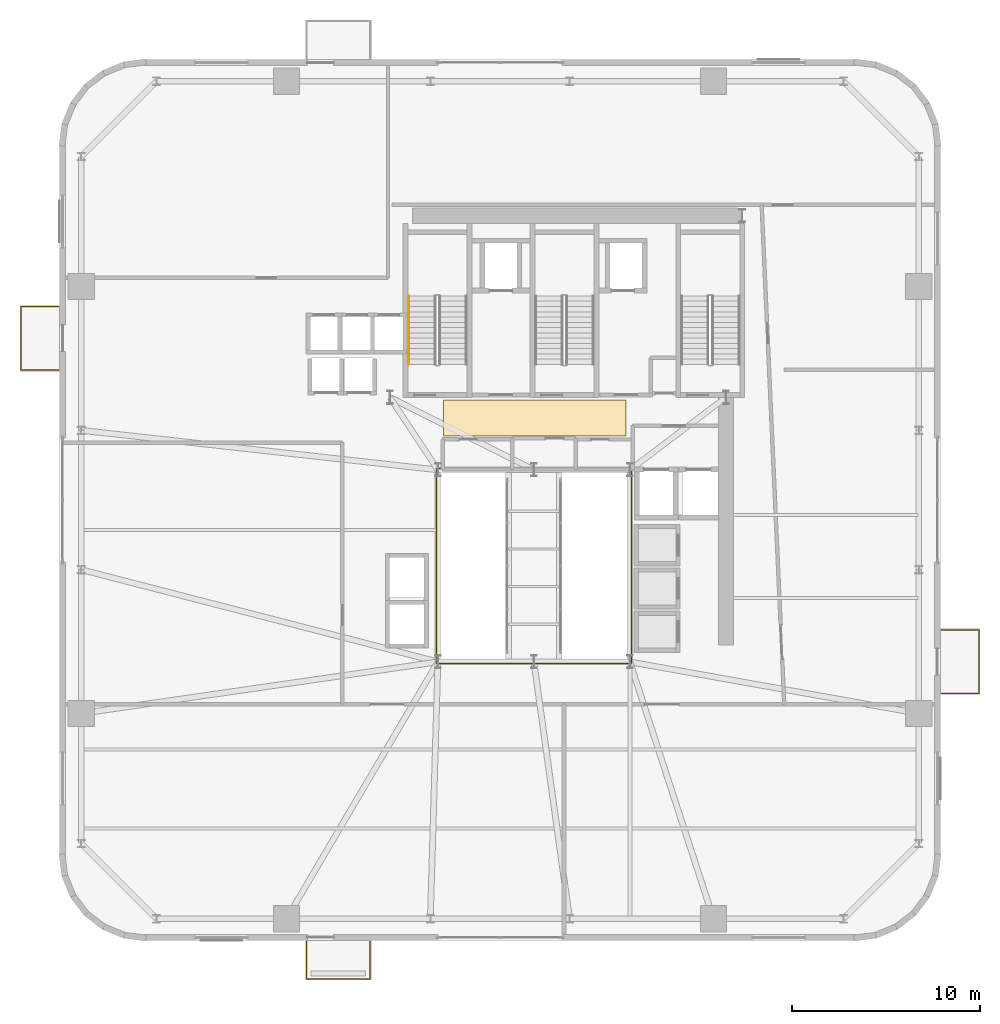
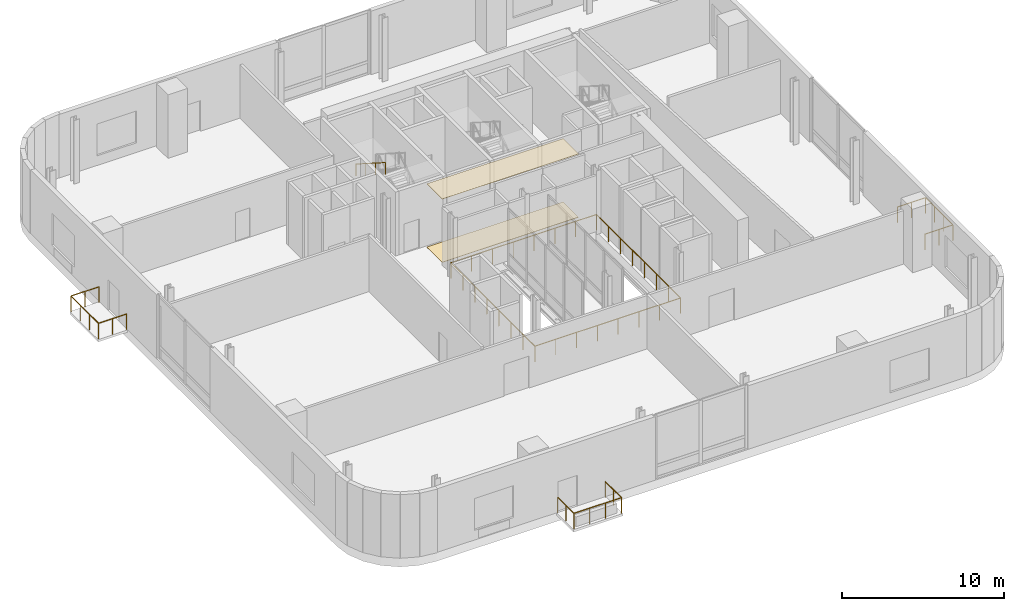
# One storey, part 12 of 14: 5 railings, 2 coverings.
"""IFC4 building model written with IfcOpenShell, lengths in metres."""

from ifc_helpers import new_model, si_unit, direction, frame, origin, origin_2d, place, context, subcontext, project, spatial, polyline, rectangle, outline, extrude, source, transform, mapped, material, layer, layer_set, type_object, element, save


model = new_model("IFC4")

# Units and contexts
model_context = context("Model", 3, precision=1e-05, world=origin(), true_north=direction((0.0, 1.0)))
body_context = subcontext(model_context, "Body", "Model", "MODEL_VIEW")
ifc_project = project(units=[si_unit("LENGTHUNIT", "METRE"), si_unit("AREAUNIT", "SQUARE_METRE"), si_unit("VOLUMEUNIT", "CUBIC_METRE"), si_unit("PLANEANGLEUNIT", "RADIAN"), si_unit("MASSUNIT", "GRAM", prefix="KILO")], contexts=[model_context])

# Site, building, storey
site_placement = place(None, origin())
site = spatial("IfcSite", under=ifc_project, at=site_placement, CompositionType="ELEMENT")
building_placement = place(site_placement, origin())
building = spatial("IfcBuilding", under=site, at=building_placement, Name="Vardaveli Station Tower", CompositionType="ELEMENT")
storey_placement = place(building_placement, frame((0.0, 0.0, 172.199951171875)))
storey = spatial("IfcBuildingStorey", under=building, at=storey_placement, Name="L44", CompositionType="ELEMENT", Elevation=172.199951171875)

# Coverings
ifc_material_1 = material(Name="Perforated acoustic mineral ceiling")
ifc_layer_1 = layer(ifc_material_1, 0.02001953125, Name="Perforated acoustic mineral ceiling")
ifc_layer_set_1 = layer_set([ifc_layer_1], Name="Perforated acoustic mineral ceiling")
covering_type_1 = type_object("IfcCoveringType", Name="COV-CEIL-AC20", PredefinedType="CEILING", material=ifc_layer_set_1)
covering_1_placement = place(storey_placement, frame((0.0, 0.0, 4.76513671875)))
element("IfcCovering", 1, at=covering_1_placement, inside=storey, type_object=covering_type_1, Name="CEIL-L44-1", PredefinedType="CEILING", context=body_context, shape_type="SweptSolid", body=[
    extrude(outline(polyline([(31.5, 28.60009765625), (41.199951171875, 28.60009765625), (41.199951171875, 30.5), (31.5, 30.5), (31.5, 28.60009765625)])), origin(), (0.0, 0.0, 1.0), 0.02001953125),
])
ifc_material_2 = material(Name="Honed Caucasian basalt and travertine flooring", Category="masonry")
ifc_layer_2 = layer(ifc_material_2, 0.030029296875, Name="Honed Caucasian basalt and travertine flooring")
ifc_layer_set_2 = layer_set([ifc_layer_2], Name="Honed Caucasian basalt and travertine flooring")
covering_type_2 = type_object("IfcCoveringType", Name="COV-FLOOR-ST30", PredefinedType="FLOORING", material=ifc_layer_set_2)
covering_2_placement = place(storey_placement, origin())
element("IfcCovering", 2, at=covering_2_placement, inside=storey, type_object=covering_type_2, Name="FLR-L44-1", PredefinedType="FLOORING", context=body_context, shape_type="SweptSolid", body=[
    extrude(outline(polyline([(31.5, 28.60009765625), (41.199951171875, 28.60009765625), (41.199951171875, 30.5), (31.5, 30.5), (31.5, 28.60009765625)])), origin(), (0.0, 0.0, 1.0), 0.030029296875),
])

# Railings
ifc_material_3 = material(Name="Laminated glass and stainless steel balustrade", Category="steel")
railing_type_1 = type_object("IfcRailingType", Name="RL-BAL-1200", PredefinedType="BALUSTRADE", material=ifc_material_3)
shared_shape_1 = source(origin(), body_context, "Body", "SweptSolid", [
    extrude(rectangle(XDim=0.048095703125, YDim=0.048095703125, at=origin_2d()), frame((0.0, 0.0, 1.17578125), z_axis=(0.0, -1.0, 0.0), x_axis=(1.0, 0.0, 0.0)), (0.0, 0.0, 1.0), 2.0),
    extrude(rectangle(XDim=0.048095703125, YDim=0.048095703125, at=origin_2d()), frame((0.0, -2.0, 1.17578125), z_axis=(1.0, 0.0, 0.0), x_axis=(0.0, 1.0, 0.0)), (0.0, 0.0, 1.0), 3.3798828125),
    extrude(rectangle(XDim=0.048095703125, YDim=0.048095703125, at=origin_2d()), frame((3.3798828125, -2.0, 1.17578125), z_axis=(0.0, 1.0, 0.0), x_axis=(-1.0, 0.0, 0.0)), (0.0, 0.0, 1.0), 2.0),
    extrude(rectangle(XDim=0.0419921875, YDim=0.0419921875, at=origin_2d()), origin(), (0.0, 0.0, 1.0), 1.15185546875),
    extrude(rectangle(XDim=0.0419921875, YDim=0.0419921875, at=origin_2d()), frame((0.0, -1.0, 0.0)), (0.0, 0.0, 1.0), 1.15185546875),
    extrude(rectangle(XDim=0.0419921875, YDim=0.0419921875, at=origin_2d()), frame((0.0, -2.0, 0.0)), (0.0, 0.0, 1.0), 1.15185546875),
    extrude(rectangle(XDim=0.0419921875, YDim=0.0419921875, at=origin_2d()), frame((1.126708984375, -2.0, 0.0)), (0.0, 0.0, 1.0), 1.15185546875),
    extrude(rectangle(XDim=0.0419921875, YDim=0.0419921875, at=origin_2d()), frame((2.253173828125, -2.0, 0.0)), (0.0, 0.0, 1.0), 1.15185546875),
    extrude(rectangle(XDim=0.0419921875, YDim=0.0419921875, at=origin_2d()), frame((3.3798828125, -2.0, 0.0)), (0.0, 0.0, 1.0), 1.15185546875),
    extrude(rectangle(XDim=0.0419921875, YDim=0.0419921875, at=origin_2d()), frame((3.3798828125, -1.0, 0.0)), (0.0, 0.0, 1.0), 1.15185546875),
    extrude(rectangle(XDim=0.0419921875, YDim=0.0419921875, at=origin_2d()), frame((3.3798828125, 0.0, 0.0)), (0.0, 0.0, 1.0), 1.15185546875),
])
railing_1_placement = place(storey_placement, frame((24.220458984375, 1.760009765625, 0.0)))
element("IfcRailing", 3, at=railing_1_placement, inside=storey, type_object=railing_type_1, Name="RL-LOG-L44-01", PredefinedType="BALUSTRADE", context=body_context, shape_type="MappedRepresentation", body=[
    mapped(shared_shape_1, transform((0.0, 0.0, 0.0), scale=1.0)),
])
shared_shape_2 = source(origin(), body_context, "Body", "SweptSolid", [
    extrude(rectangle(XDim=0.048095703125, YDim=0.048095703125, at=origin_2d()), frame((0.0, 0.0, 1.17578125), z_axis=(1.0, 0.0, 0.0), x_axis=(0.0, 1.0, 0.0)), (0.0, 0.0, 1.0), 2.0),
    extrude(rectangle(XDim=0.048095703125, YDim=0.048095703125, at=origin_2d()), frame((2.0, 0.0, 1.17578125), z_axis=(0.0, 1.0, 0.0), x_axis=(-1.0, 0.0, 0.0)), (0.0, 0.0, 1.0), 3.3798828125),
    extrude(rectangle(XDim=0.048095703125, YDim=0.048095703125, at=origin_2d()), frame((2.0, 3.3798828125, 1.17578125), z_axis=(-1.0, 0.0, 0.0), x_axis=(0.0, -1.0, 0.0)), (0.0, 0.0, 1.0), 2.0),
    extrude(rectangle(XDim=0.0419921875, YDim=0.0419921875, at=origin_2d()), origin(), (0.0, 0.0, 1.0), 1.15185546875),
    extrude(rectangle(XDim=0.0419921875, YDim=0.0419921875, at=origin_2d()), frame((1.0, 0.0, 0.0)), (0.0, 0.0, 1.0), 1.15185546875),
    extrude(rectangle(XDim=0.0419921875, YDim=0.0419921875, at=origin_2d()), frame((2.0, 0.0, 0.0)), (0.0, 0.0, 1.0), 1.15185546875),
    extrude(rectangle(XDim=0.0419921875, YDim=0.0419921875, at=origin_2d()), frame((2.0, 1.126708984375, 0.0)), (0.0, 0.0, 1.0), 1.15185546875),
    extrude(rectangle(XDim=0.0419921875, YDim=0.0419921875, at=origin_2d()), frame((2.0, 2.253173828125, 0.0)), (0.0, 0.0, 1.0), 1.15185546875),
    extrude(rectangle(XDim=0.0419921875, YDim=0.0419921875, at=origin_2d()), frame((2.0, 3.3798828125, 0.0)), (0.0, 0.0, 1.0), 1.15185546875),
    extrude(rectangle(XDim=0.0419921875, YDim=0.0419921875, at=origin_2d()), frame((1.0, 3.3798828125, 0.0)), (0.0, 0.0, 1.0), 1.15185546875),
    extrude(rectangle(XDim=0.0419921875, YDim=0.0419921875, at=origin_2d()), frame((0.0, 3.3798828125, 0.0)), (0.0, 0.0, 1.0), 1.15185546875),
])
railing_2_placement = place(storey_placement, frame((57.93994140625, 14.92041015625, 0.0)))
element("IfcRailing", 4, at=railing_2_placement, inside=storey, type_object=railing_type_1, Name="RL-LOG-L44-04", PredefinedType="BALUSTRADE", context=body_context, shape_type="MappedRepresentation", body=[
    mapped(shared_shape_2, transform((0.0, 0.0, 0.0), scale=1.0)),
])
shared_shape_3 = source(origin(), body_context, "Body", "SweptSolid", [
    extrude(rectangle(XDim=0.048095703125, YDim=0.048095703125, at=origin_2d()), frame((0.0, 0.0, 1.17578125), z_axis=(-1.0, 0.0, 0.0), x_axis=(0.0, -1.0, 0.0)), (0.0, 0.0, 1.0), 2.0),
    extrude(rectangle(XDim=0.048095703125, YDim=0.048095703125, at=origin_2d()), frame((-2.0, 0.0, 1.17578125), z_axis=(0.0, 1.0, 0.0), x_axis=(-1.0, 0.0, 0.0)), (0.0, 0.0, 1.0), 3.3798828125),
    extrude(rectangle(XDim=0.048095703125, YDim=0.048095703125, at=origin_2d()), frame((-2.0, 3.3798828125, 1.17578125), z_axis=(1.0, 0.0, 0.0), x_axis=(0.0, 1.0, 0.0)), (0.0, 0.0, 1.0), 2.0),
    extrude(rectangle(XDim=0.0419921875, YDim=0.0419921875, at=origin_2d()), origin(), (0.0, 0.0, 1.0), 1.15185546875),
    extrude(rectangle(XDim=0.0419921875, YDim=0.0419921875, at=origin_2d()), frame((-1.0, 0.0, 0.0)), (0.0, 0.0, 1.0), 1.15185546875),
    extrude(rectangle(XDim=0.0419921875, YDim=0.0419921875, at=origin_2d()), frame((-2.0, 0.0, 0.0)), (0.0, 0.0, 1.0), 1.15185546875),
    extrude(rectangle(XDim=0.0419921875, YDim=0.0419921875, at=origin_2d()), frame((-2.0, 1.126708984375, 0.0)), (0.0, 0.0, 1.0), 1.15185546875),
    extrude(rectangle(XDim=0.0419921875, YDim=0.0419921875, at=origin_2d()), frame((-2.0, 2.253173828125, 0.0)), (0.0, 0.0, 1.0), 1.15185546875),
    extrude(rectangle(XDim=0.0419921875, YDim=0.0419921875, at=origin_2d()), frame((-2.0, 3.3798828125, 0.0)), (0.0, 0.0, 1.0), 1.15185546875),
    extrude(rectangle(XDim=0.0419921875, YDim=0.0419921875, at=origin_2d()), frame((-1.0, 3.3798828125, 0.0)), (0.0, 0.0, 1.0), 1.15185546875),
    extrude(rectangle(XDim=0.0419921875, YDim=0.0419921875, at=origin_2d()), frame((0.0, 3.3798828125, 0.0)), (0.0, 0.0, 1.0), 1.15185546875),
])
railing_3_placement = place(storey_placement, frame((11.06005859375, 32.099609375, 0.0)))
element("IfcRailing", 5, at=railing_3_placement, inside=storey, type_object=railing_type_1, Name="RL-LOG-L44-03", PredefinedType="BALUSTRADE", context=body_context, shape_type="MappedRepresentation", body=[
    mapped(shared_shape_3, transform((0.0, 0.0, 0.0), scale=1.0)),
])
ifc_material_4 = material(Name="Brushed AISI 316 stainless steel", Category="steel")
railing_type_2 = type_object("IfcRailingType", Name="RL-HAND-900", PredefinedType="HANDRAIL", material=ifc_material_4)
shared_shape_4 = source(origin(), body_context, "Body", "SweptSolid", [
    extrude(rectangle(XDim=0.048095703125, YDim=0.048095703125, at=origin_2d()), frame((0.0, 0.0, 0.8759765625), z_axis=(0.0, -0.843153495434, 0.537672933239), x_axis=(1.0, 0.0, 0.0)), (0.0, 0.0, 1.0), 4.3173828125),
    extrude(rectangle(XDim=0.0419921875, YDim=0.0419921875, at=origin_2d()), origin(), (0.0, 0.0, 1.0), 0.851806640625),
    extrude(rectangle(XDim=0.0419921875, YDim=0.0419921875, at=origin_2d()), frame((0.0, -1.21337890625, 0.773681640625)), (0.0, 0.0, 1.0), 0.851806640625),
    extrude(rectangle(XDim=0.0419921875, YDim=0.0419921875, at=origin_2d()), frame((0.0, -2.4267578125, 1.547607421875)), (0.0, 0.0, 1.0), 0.851806640625),
    extrude(rectangle(XDim=0.0419921875, YDim=0.0419921875, at=origin_2d()), frame((0.0, -3.64013671875, 2.3212890625)), (0.0, 0.0, 1.0), 0.851806640625),
])
railing_4_placement = place(storey_placement, frame((29.64990234375, 36.0400390625, 2.6787109375)))
element("IfcRailing", 6, at=railing_4_placement, inside=storey, type_object=railing_type_2, Name="L44 ST-1 stair handrail 2", PredefinedType="HANDRAIL", context=body_context, shape_type="MappedRepresentation", body=[
    mapped(shared_shape_4, transform((0.0, 0.0, 0.0), scale=1.0)),
])
shared_shape_5 = source(origin(), body_context, "Body", "SweptSolid", [
    extrude(rectangle(XDim=0.048095703125, YDim=0.048095703125, at=origin_2d()), frame((0.0, 0.0, 1.17578125), z_axis=(1.0, 0.0, 0.0), x_axis=(0.0, 1.0, 0.0)), (0.0, 0.0, 1.0), 10.35986328125),
    extrude(rectangle(XDim=0.048095703125, YDim=0.048095703125, at=origin_2d()), frame((10.35986328125, 0.0, 1.17578125), z_axis=(0.0, 1.0, 0.0), x_axis=(-1.0, 0.0, 0.0)), (0.0, 0.0, 1.0), 10.35986328125),
    extrude(rectangle(XDim=0.048095703125, YDim=0.048095703125, at=origin_2d()), frame((10.35986328125, 10.35986328125, 1.17578125), z_axis=(-1.0, 0.0, 0.0), x_axis=(0.0, -1.0, 0.0)), (0.0, 0.0, 1.0), 10.35986328125),
    extrude(rectangle(XDim=0.048095703125, YDim=0.048095703125, at=origin_2d()), frame((0.0, 10.35986328125, 1.17578125), z_axis=(0.0, -1.0, 0.0), x_axis=(1.0, 0.0, 0.0)), (0.0, 0.0, 1.0), 10.35986328125),
    extrude(rectangle(XDim=0.0419921875, YDim=0.0419921875, at=origin_2d()), origin(), (0.0, 0.0, 1.0), 1.15185546875),
    extrude(rectangle(XDim=0.0419921875, YDim=0.0419921875, at=origin_2d()), frame((1.47998046875, 0.0, 0.0)), (0.0, 0.0, 1.0), 1.15185546875),
    extrude(rectangle(XDim=0.0419921875, YDim=0.0419921875, at=origin_2d()), frame((2.9599609375, 0.0, 0.0)), (0.0, 0.0, 1.0), 1.15185546875),
    extrude(rectangle(XDim=0.0419921875, YDim=0.0419921875, at=origin_2d()), frame((4.43994140625, 0.0, 0.0)), (0.0, 0.0, 1.0), 1.15185546875),
    extrude(rectangle(XDim=0.0419921875, YDim=0.0419921875, at=origin_2d()), frame((5.919921875, 0.0, 0.0)), (0.0, 0.0, 1.0), 1.15185546875),
    extrude(rectangle(XDim=0.0419921875, YDim=0.0419921875, at=origin_2d()), frame((7.39990234375, 0.0, 0.0)), (0.0, 0.0, 1.0), 1.15185546875),
    extrude(rectangle(XDim=0.0419921875, YDim=0.0419921875, at=origin_2d()), frame((8.8798828125, 0.0, 0.0)), (0.0, 0.0, 1.0), 1.15185546875),
    extrude(rectangle(XDim=0.0419921875, YDim=0.0419921875, at=origin_2d()), frame((10.35986328125, 0.0, 0.0)), (0.0, 0.0, 1.0), 1.15185546875),
    extrude(rectangle(XDim=0.0419921875, YDim=0.0419921875, at=origin_2d()), frame((10.35986328125, 1.47998046875, 0.0)), (0.0, 0.0, 1.0), 1.15185546875),
    extrude(rectangle(XDim=0.0419921875, YDim=0.0419921875, at=origin_2d()), frame((10.35986328125, 2.9599609375, 0.0)), (0.0, 0.0, 1.0), 1.15185546875),
    extrude(rectangle(XDim=0.0419921875, YDim=0.0419921875, at=origin_2d()), frame((10.35986328125, 4.43994140625, 0.0)), (0.0, 0.0, 1.0), 1.15185546875),
    extrude(rectangle(XDim=0.0419921875, YDim=0.0419921875, at=origin_2d()), frame((10.35986328125, 5.919921875, 0.0)), (0.0, 0.0, 1.0), 1.15185546875),
    extrude(rectangle(XDim=0.0419921875, YDim=0.0419921875, at=origin_2d()), frame((10.35986328125, 7.39990234375, 0.0)), (0.0, 0.0, 1.0), 1.15185546875),
    extrude(rectangle(XDim=0.0419921875, YDim=0.0419921875, at=origin_2d()), frame((10.35986328125, 8.8798828125, 0.0)), (0.0, 0.0, 1.0), 1.15185546875),
    extrude(rectangle(XDim=0.0419921875, YDim=0.0419921875, at=origin_2d()), frame((10.35986328125, 10.35986328125, 0.0)), (0.0, 0.0, 1.0), 1.15185546875),
    extrude(rectangle(XDim=0.0419921875, YDim=0.0419921875, at=origin_2d()), frame((8.8798828125, 10.35986328125, 0.0)), (0.0, 0.0, 1.0), 1.15185546875),
    extrude(rectangle(XDim=0.0419921875, YDim=0.0419921875, at=origin_2d()), frame((7.39990234375, 10.35986328125, 0.0)), (0.0, 0.0, 1.0), 1.15185546875),
    extrude(rectangle(XDim=0.0419921875, YDim=0.0419921875, at=origin_2d()), frame((5.919921875, 10.35986328125, 0.0)), (0.0, 0.0, 1.0), 1.15185546875),
    extrude(rectangle(XDim=0.0419921875, YDim=0.0419921875, at=origin_2d()), frame((4.43994140625, 10.35986328125, 0.0)), (0.0, 0.0, 1.0), 1.15185546875),
    extrude(rectangle(XDim=0.0419921875, YDim=0.0419921875, at=origin_2d()), frame((2.9599609375, 10.35986328125, 0.0)), (0.0, 0.0, 1.0), 1.15185546875),
    extrude(rectangle(XDim=0.0419921875, YDim=0.0419921875, at=origin_2d()), frame((1.47998046875, 10.35986328125, 0.0)), (0.0, 0.0, 1.0), 1.15185546875),
    extrude(rectangle(XDim=0.0419921875, YDim=0.0419921875, at=origin_2d()), frame((0.0, 10.35986328125, 0.0)), (0.0, 0.0, 1.0), 1.15185546875),
    extrude(rectangle(XDim=0.0419921875, YDim=0.0419921875, at=origin_2d()), frame((0.0, 8.8798828125, 0.0)), (0.0, 0.0, 1.0), 1.15185546875),
    extrude(rectangle(XDim=0.0419921875, YDim=0.0419921875, at=origin_2d()), frame((0.0, 7.39990234375, 0.0)), (0.0, 0.0, 1.0), 1.15185546875),
    extrude(rectangle(XDim=0.0419921875, YDim=0.0419921875, at=origin_2d()), frame((0.0, 5.919921875, 0.0)), (0.0, 0.0, 1.0), 1.15185546875),
    extrude(rectangle(XDim=0.0419921875, YDim=0.0419921875, at=origin_2d()), frame((0.0, 4.43994140625, 0.0)), (0.0, 0.0, 1.0), 1.15185546875),
    extrude(rectangle(XDim=0.0419921875, YDim=0.0419921875, at=origin_2d()), frame((0.0, 2.9599609375, 0.0)), (0.0, 0.0, 1.0), 1.15185546875),
    extrude(rectangle(XDim=0.0419921875, YDim=0.0419921875, at=origin_2d()), frame((0.0, 1.47998046875, 0.0)), (0.0, 0.0, 1.0), 1.15185546875),
])
railing_5_placement = place(storey_placement, frame((31.1201171875, 16.52001953125, 0.0)))
element("IfcRailing", 7, at=railing_5_placement, inside=storey, type_object=railing_type_1, Name="RL-ATR-L44", PredefinedType="BALUSTRADE", context=body_context, shape_type="MappedRepresentation", body=[
    mapped(shared_shape_5, transform((0.0, 0.0, 0.0), scale=1.0)),
])

save(model, "model.ifc")
